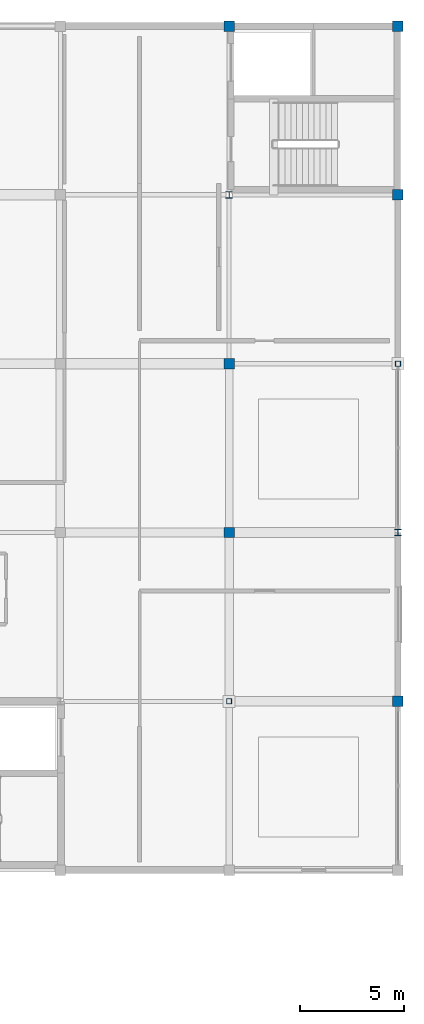
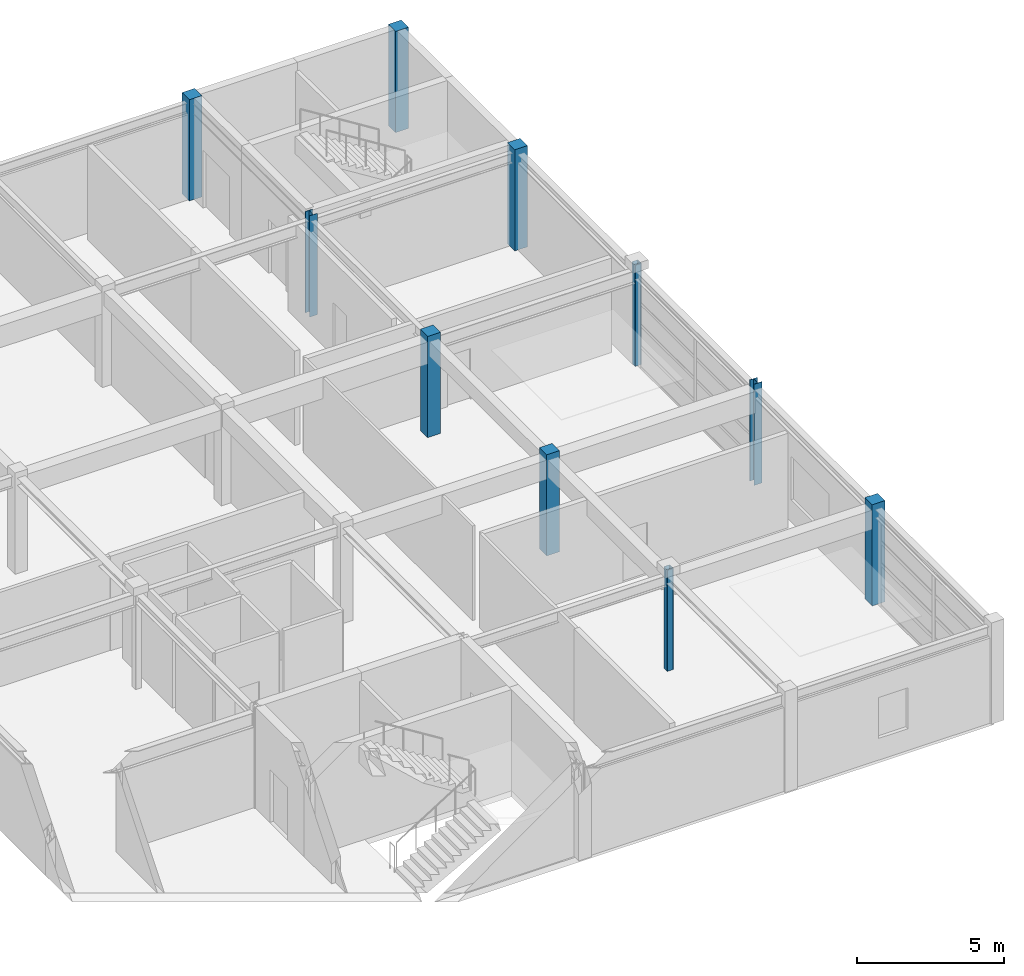
# One storey, part 9 of 26: 10 columns.
"""IFC4 building model written with IfcOpenShell, lengths in metres."""

from ifc_helpers import new_model, si_unit, direction, frame, origin, origin_2d, place, context, subcontext, project, spatial, rectangle, hollow_rectangle, i_section, extrude, material, material_profile, profile_set, type_object, element, save


model = new_model("IFC4")

# Units and contexts
model_context = context("Model", 3, precision=1e-05, world=origin(), true_north=direction((0.0, 1.0)))
body_context = subcontext(model_context, "Body", "Model", "MODEL_VIEW")
ifc_project = project(units=[si_unit("LENGTHUNIT", "METRE"), si_unit("AREAUNIT", "SQUARE_METRE"), si_unit("VOLUMEUNIT", "CUBIC_METRE"), si_unit("PLANEANGLEUNIT", "RADIAN"), si_unit("MASSUNIT", "GRAM", prefix="KILO")], contexts=[model_context])

# Site, building, storey
site_placement = place(None, origin())
site = spatial("IfcSite", under=ifc_project, at=site_placement, CompositionType="ELEMENT")
building_placement = place(site_placement, origin())
building = spatial("IfcBuilding", under=site, at=building_placement, Name="Parian Resonance Hall", CompositionType="ELEMENT")
storey_placement = place(building_placement, frame((0.0, 0.0, 19.199951171875)))
storey = spatial("IfcBuildingStorey", under=building, at=storey_placement, Name="L04", CompositionType="ELEMENT", Elevation=19.199951171875)

# Columns
ifc_material_1 = material(Name="Concrete C40/50", Category="concrete")
ifc_material_profile_1 = material_profile(ifc_material_1, rectangle(XDim=0.5, YDim=0.5, at=origin_2d()), Name="RC-COL-500x500")
ifc_profile_set_1 = profile_set([ifc_material_profile_1], Name="Concrete C40/50")
column_type_1 = type_object("IfcColumnType", Name="COL-RC500", PredefinedType="COLUMN", material=ifc_profile_set_1)
for number, where, z_axis, x_axis, name in (
    (1, (137.699951171875, 64.800048828125, 0.0), (0.0, 0.0, 1.0), (1.0, 0.0, 0.0), "Column G18-09 L04"),
    (2, (137.699951171875, 72.89990234375, 0.0), (0.0, 0.0, 1.0), (1.0, 0.0, 0.0), "Column G18-10 L04"),
    (3, (137.699951171875, 89.10009765625, 0.0), (0.0, 0.0, 1.0), (1.0, 0.0, 0.0), "Column G18-12 L04"),
    (4, (145.800048828125, 56.699951171875, 0.0), (0.0, 0.0, 1.0), (1.0, 0.0, 0.0), "Column G19-08 L04"),
    (5, (145.800048828125, 81.0, 0.0), (0.0, 0.0, 1.0), (1.0, 0.0, 0.0), "Column G19-11 L04"),
    (6, (145.800048828125, 89.10009765625, 0.0), (0.0, 0.0, 1.0), (1.0, 0.0, 0.0), "Column G19-12 L04"),
):
    element("IfcColumn", number, at=place(storey_placement, frame(where, z_axis=z_axis, x_axis=x_axis)), inside=storey, type_object=column_type_1, Name=name, PredefinedType="COLUMN", context=body_context, shape_type="SweptSolid", body=[
        extrude(rectangle(XDim=0.5, YDim=0.5, at=origin_2d()), origin(), (0.0, 0.0, 1.0), 4.199951171875),
    ])
ifc_material_2 = material(Name="Hollow structural steel S355", Category="steel")
ifc_material_profile_2 = material_profile(ifc_material_2, hollow_rectangle(XDim=0.25, YDim=0.25, WallThickness=0.012451171875, InnerFilletRadius=0.012451171875, OuterFilletRadius=0.02490234375, at=origin_2d()), Name="SHS250x250x12.5")
ifc_profile_set_2 = profile_set([ifc_material_profile_2], Name="Hollow structural steel S355")
column_type_2 = type_object("IfcColumnType", Name="COL-SHS250", PredefinedType="COLUMN", material=ifc_profile_set_2)
for number, where, z_axis, x_axis, name in (
    (7, (137.699951171875, 56.699951171875, 0.0), (0.0, 0.0, 1.0), (1.0, 0.0, 0.0), "Column G18-08 L04"),
    (8, (145.800048828125, 72.89990234375, 0.0), (0.0, 0.0, 1.0), (1.0, 0.0, 0.0), "Column G19-10 L04"),
):
    element("IfcColumn", number, at=place(storey_placement, frame(where, z_axis=z_axis, x_axis=x_axis)), inside=storey, type_object=column_type_2, Name=name, PredefinedType="COLUMN", context=body_context, shape_type="SweptSolid", body=[
        extrude(hollow_rectangle(XDim=0.25, YDim=0.25, WallThickness=0.012451171875, InnerFilletRadius=0.012451171875, OuterFilletRadius=0.02490234375, at=origin_2d()), origin(), (0.0, 0.0, 1.0), 4.199951171875),
    ])
ifc_material_3 = material(Name="Steel S355", Category="steel")
ifc_material_profile_3 = material_profile(ifc_material_3, i_section(OverallWidth=0.304931640625, OverallDepth=0.30810546875, WebThickness=0.010009765625, FlangeThickness=0.015380859375, FilletRadius=0.01513671875, at=origin_2d()), Name="W310x97")
ifc_profile_set_3 = profile_set([ifc_material_profile_3], Name="Steel S355")
column_type_3 = type_object("IfcColumnType", Name="COL-W310", PredefinedType="COLUMN", material=ifc_profile_set_3)
for number, where, z_axis, x_axis, name in (
    (9, (137.699951171875, 81.0, 0.0), (0.0, 0.0, 1.0), (1.0, 0.0, 0.0), "Column G18-11 L04"),
    (10, (145.800048828125, 64.800048828125, 0.0), (0.0, 0.0, 1.0), (1.0, 0.0, 0.0), "Column G19-09 L04"),
):
    element("IfcColumn", number, at=place(storey_placement, frame(where, z_axis=z_axis, x_axis=x_axis)), inside=storey, type_object=column_type_3, Name=name, PredefinedType="COLUMN", context=body_context, shape_type="SweptSolid", body=[
        extrude(i_section(OverallWidth=0.304931640625, OverallDepth=0.30810546875, WebThickness=0.010009765625, FlangeThickness=0.015380859375, FilletRadius=0.01513671875, at=origin_2d()), origin(), (0.0, 0.0, 1.0), 4.199951171875),
    ])

save(model, "model.ifc")
